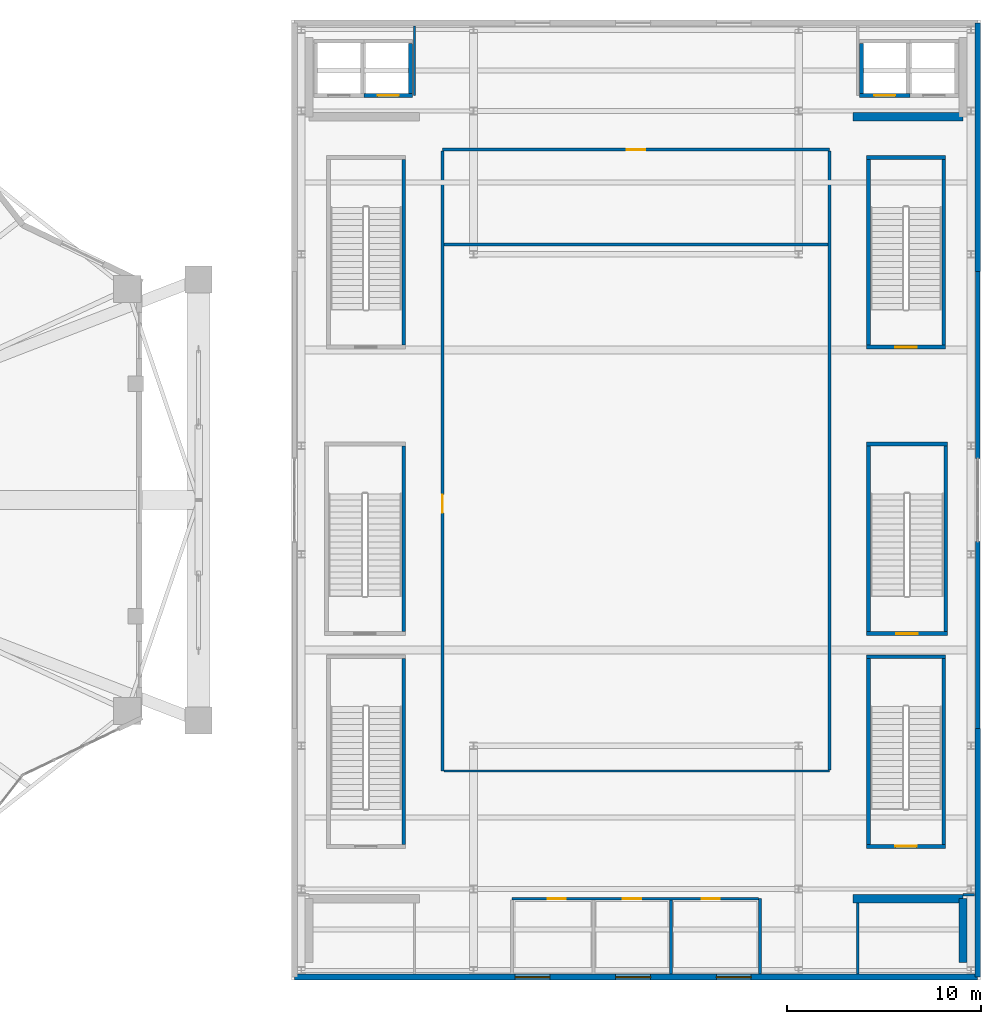
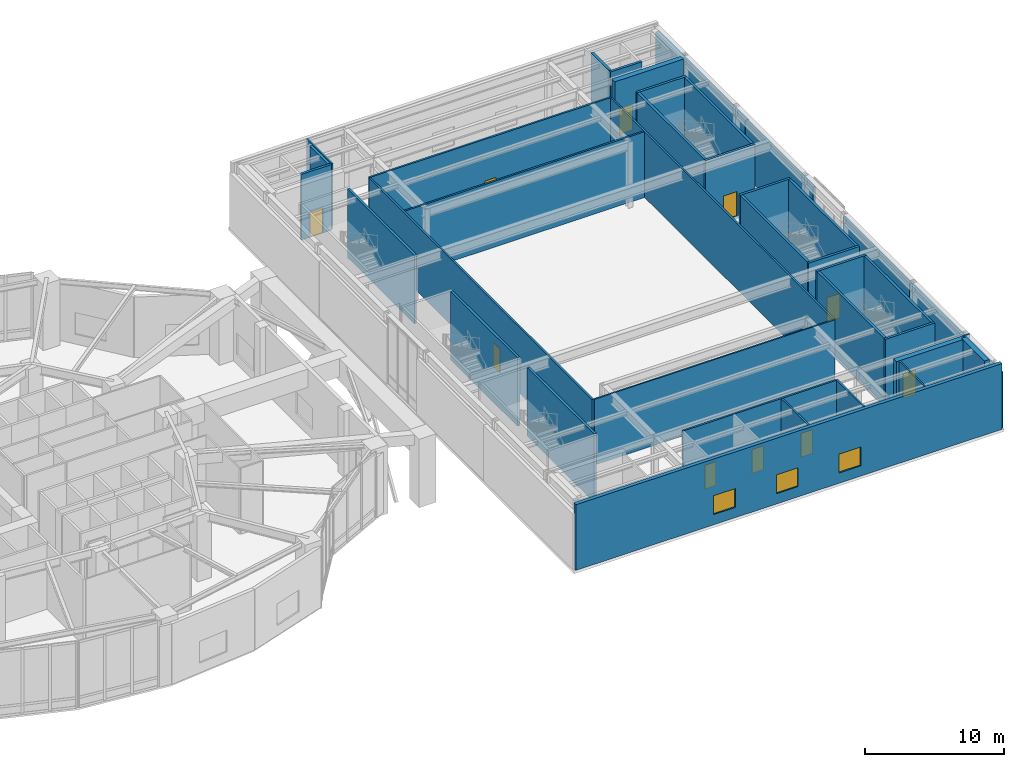
# One storey, part 19 of 25: 38 walls, 10 doors, 3 windows, 13 openings.
"""IFC4 building model written with IfcOpenShell, lengths in metres."""

from ifc_helpers import new_model, si_unit, direction, frame, frame_2d, origin, place, context, subcontext, project, spatial, rectangle, extrude, material, layer, layer_set, type_object, element, fill, save


model = new_model("IFC4")

# Units and contexts
model_context = context("Model", 3, precision=1e-05, world=origin(), true_north=direction((0.0, 1.0)))
body_context = subcontext(model_context, "Body", "Model", "MODEL_VIEW")
ifc_project = project(units=[si_unit("LENGTHUNIT", "METRE"), si_unit("AREAUNIT", "SQUARE_METRE"), si_unit("VOLUMEUNIT", "CUBIC_METRE"), si_unit("PLANEANGLEUNIT", "RADIAN"), si_unit("MASSUNIT", "GRAM", prefix="KILO")], contexts=[model_context])

# Site, building, storey
site_placement = place(None, origin())
site = spatial("IfcSite", under=ifc_project, at=site_placement, CompositionType="ELEMENT")
building_placement = place(site_placement, origin())
building = spatial("IfcBuilding", under=site, at=building_placement, Name="Kolvaren Gate Tower and Convention Centre", CompositionType="ELEMENT")
storey_placement = place(building_placement, frame((0.0, 0.0, 15.0)))
storey = spatial("IfcBuildingStorey", under=building, at=storey_placement, Name="L03", CompositionType="ELEMENT", Elevation=15.0)

# Walls
ifc_material_1 = material(Name="Fire-Rated Acoustic Gypsum Stud Partition", Category="gypsum")
ifc_layer_1 = layer(ifc_material_1, 0.1201171875)
ifc_layer_set_1 = layer_set([ifc_layer_1], Name="Fire-Rated Acoustic Gypsum Stud Partition")
wall_type_1 = type_object("IfcWallType", Name="ARCH-WL-PART-120", PredefinedType="PARTITIONING", material=ifc_layer_set_1)
wall_1_placement = place(storey_placement, frame((96.89990234375, 6.60009765625, 0.0), z_axis=(0.0, 0.0, 1.0), x_axis=(1.0, 0.0, 0.0)))
element("IfcWall", 1, at=wall_1_placement, inside=storey, type_object=wall_type_1, Name="Interior Partition WL-L03-INT-046", PredefinedType="PARTITIONING", context=body_context, shape_type="SweptSolid", body=[
    extrude(rectangle(XDim=0.59814453125, YDim=0.1201171875, at=frame_2d((0.299072265625, 0.0))), origin(), (0.0, 0.0, 1.0), 5.760009765625),
])
wall_2_placement = place(storey_placement, frame((68.550048828125, 47.89990234375, 0.0), z_axis=(0.0, 0.0, 1.0), x_axis=(0.0, 1.0, 0.0)))
element("IfcWall", 2, at=wall_2_placement, inside=storey, type_object=wall_type_1, Name="Interior Partition WL-L03-INT-048", PredefinedType="PARTITIONING", context=body_context, shape_type="SweptSolid", body=[
    extrude(rectangle(XDim=3.59814453125, YDim=0.1201171875, at=frame_2d((1.799072265625, 0.0))), origin(), (0.0, 0.0, 1.0), 5.760009765625),
])
wall_3_placement = place(storey_placement, frame((91.449951171875, 2.501953125, 0.0), z_axis=(0.0, 0.0, 1.0), x_axis=(0.0, 1.0, 0.0)))
element("IfcWall", 3, at=wall_3_placement, inside=storey, type_object=wall_type_1, Name="Interior Partition WL-L03-INT-049", PredefinedType="PARTITIONING", context=body_context, shape_type="SweptSolid", body=[
    extrude(rectangle(XDim=3.68603515625, YDim=0.1201171875, at=frame_2d((1.843017578125, 0.0))), origin(), (0.0, 0.0, 1.0), 5.760009765625),
])
wall_4_placement = place(storey_placement, frame((70.076904296875, 13.0, 0.0), z_axis=(0.0, 0.0, 1.0), x_axis=(1.0, 0.0, 0.0)))
element("IfcWall", 4, at=wall_4_placement, inside=storey, type_object=wall_type_1, Name="Interior Partition WL-L03-INT-056", PredefinedType="PARTITIONING", context=body_context, shape_type="SweptSolid", body=[
    extrude(rectangle(XDim=19.923095703125, YDim=0.1201171875, at=frame_2d((9.96142578125, 0.0))), origin(), (0.0, 0.0, 1.0), 5.760009765625),
])
ifc_material_2 = material(Name="Bogota Sabana Bush-Hammered Sandstone Cladding", Category="masonry")
ifc_layer_2 = layer(ifc_material_2, 0.219970703125)
ifc_layer_set_2 = layer_set([ifc_layer_2], Name="Bogota Sabana Bush-Hammered Sandstone Cladding")
wall_type_2 = type_object("IfcWallType", Name="ARCH-WL-PIER-220", PredefinedType="SOLIDWALL", material=ifc_layer_set_2)
for number, where, z_axis, x_axis, name in (
    (5, (97.64990234375, 15.199951171875, 0.0), (0.0, 0.0, 1.0), (0.0, 1.0, 0.0), "Convention L03 E Foyer Curtain Wall CW-CC-L03-E Left Column Pier Wrap"),
    (6, (97.64990234375, 29.139892578125, 0.0), (0.0, 0.0, 1.0), (0.0, 1.0, 0.0), "Convention L03 E Foyer Curtain Wall CW-CC-L03-E Right Column Pier Wrap"),
):
    element("IfcWall", number, at=place(storey_placement, frame(where, z_axis=z_axis, x_axis=x_axis)), inside=storey, type_object=wall_type_2, Name=name, PredefinedType="SOLIDWALL", context=body_context, shape_type="SweptSolid", body=[
        extrude(rectangle(XDim=9.66015625, YDim=0.219970703125, at=frame_2d((4.830078125, 0.0))), origin(), (0.0, 0.0, 1.0), 4.89697265625),
    ])

# Wall, opening, door
ifc_material_3 = material(Name="Autoclaved Aerated Masonry Blockwork Class 4 (4.0 MPa)", Category="masonry")
ifc_layer_3 = layer(ifc_material_3, 0.199951171875)
ifc_layer_set_3 = layer_set([ifc_layer_3], Name="Autoclaved Aerated Masonry Blockwork Class 4 (4.0 MPa)")
wall_type_3 = type_object("IfcWallType", Name="ARCH-WL-SHAFT-200", PredefinedType="SOLIDWALL", material=ifc_layer_set_3)
wall_5_placement = place(storey_placement, frame((65.949951171875, 47.89990234375, 0.0), z_axis=(0.0, 0.0, 1.0), x_axis=(1.0, 0.0, 0.0)))
wall_5 = element("IfcWall", 7, at=wall_5_placement, inside=storey, type_object=wall_type_3, Name="Elevator CL-02 L03 Fire Shaft Wall S", PredefinedType="SOLIDWALL", context=body_context, shape_type="SweptSolid", body=[
    extrude(rectangle(XDim=2.5, YDim=0.199951171875, at=frame_2d((1.25, 0.0))), origin(), (0.0, 0.0, 1.0), 5.760009765625),
])
opening_1_placement = place(wall_5_placement, frame((0.699951171875, 0.0, 0.0)))
opening_1 = element("IfcOpeningElement", 8, at=opening_1_placement, cuts=wall_5, Name="Opening LD", PredefinedType="OPENING", context=body_context, shape_type="SweptSolid", body=[
    extrude(rectangle(XDim=1.10009765625, YDim=2.199951171875, at=frame_2d((0.550048828125, 1.10009765625))), frame((0.0, 0.10986328125, 0.0), z_axis=(0.0, -1.0, 0.0), x_axis=(1.0, 0.0, 0.0)), (0.0, 0.0, 1.0), 0.219970703125),
])
ifc_material_4 = material(Name="Brushed Stainless Steel Grade 316L", Category="steel")
door_type_1 = type_object("IfcDoorType", Name="ARCH-DR-LIFT-1100", OperationType="SLIDING_TO_LEFT", PredefinedType="DOOR", material=ifc_material_4)
door_1_placement = place(opening_1_placement, origin())
door_1 = element("IfcDoor", 9, at=door_1_placement, inside=storey, type_object=door_type_1, Name="Elevator CL-02 L03 Sliding Landing Door", OperationType="SLIDING_TO_LEFT", OverallHeight=2.199951171875, OverallWidth=1.10009765625, PredefinedType="DOOR", context=body_context, shape_type="SweptSolid", body=[
    extrude(rectangle(XDim=1.10009765625, YDim=2.199951171875, at=frame_2d((0.550048828125, 1.10009765625))), frame((0.0, 0.02490234375, 0.0), z_axis=(0.0, -1.0, 0.0), x_axis=(1.0, 0.0, 0.0)), (0.0, 0.0, 1.0), 0.050048828125),
])
fill(opening_1, door_1)

# Wall
wall_6_placement = place(storey_placement, frame((68.35009765625, 48.010009765625, 0.0), z_axis=(0.0, 0.0, 1.0), x_axis=(0.0, 1.0, 0.0)))
element("IfcWall", 10, at=wall_6_placement, inside=storey, type_object=wall_type_3, Name="Elevator CL-02 L03 Fire Shaft Wall E", PredefinedType="SOLIDWALL", context=body_context, shape_type="SweptSolid", body=[
    extrude(rectangle(XDim=2.580078125, YDim=0.199951171875, at=frame_2d((1.2900390625, 0.0))), origin(), (0.0, 0.0, 1.0), 5.760009765625),
])

# Wall, opening, door
wall_7_placement = place(storey_placement, frame((91.550048828125, 47.89990234375, 0.0), z_axis=(0.0, 0.0, 1.0), x_axis=(1.0, 0.0, 0.0)))
wall_7 = element("IfcWall", 11, at=wall_7_placement, inside=storey, type_object=wall_type_3, Name="Elevator CL-03 L03 Fire Shaft Wall S", PredefinedType="SOLIDWALL", context=body_context, shape_type="SweptSolid", body=[
    extrude(rectangle(XDim=2.599853515625, YDim=0.199951171875, at=frame_2d((1.2998046875, 0.0))), origin(), (0.0, 0.0, 1.0), 5.760009765625),
])
opening_2_placement = place(wall_7_placement, frame((0.75, 0.0, 0.0)))
opening_2 = element("IfcOpeningElement", 12, at=opening_2_placement, cuts=wall_7, Name="Opening LD", PredefinedType="OPENING", context=body_context, shape_type="SweptSolid", body=[
    extrude(rectangle(XDim=1.10009765625, YDim=2.199951171875, at=frame_2d((0.550048828125, 1.10009765625))), frame((0.0, 0.10986328125, 0.0), z_axis=(0.0, -1.0, 0.0), x_axis=(1.0, 0.0, 0.0)), (0.0, 0.0, 1.0), 0.219970703125),
])
door_2_placement = place(opening_2_placement, origin())
door_2 = element("IfcDoor", 13, at=door_2_placement, inside=storey, type_object=door_type_1, Name="Elevator CL-03 L03 Sliding Landing Door", OperationType="SLIDING_TO_LEFT", OverallHeight=2.199951171875, OverallWidth=1.10009765625, PredefinedType="DOOR", context=body_context, shape_type="SweptSolid", body=[
    extrude(rectangle(XDim=1.10009765625, YDim=2.199951171875, at=frame_2d((0.550048828125, 1.10009765625))), frame((0.0, 0.02490234375, 0.0), z_axis=(0.0, -1.0, 0.0), x_axis=(1.0, 0.0, 0.0)), (0.0, 0.0, 1.0), 0.050048828125),
])
fill(opening_2, door_2)

# Wall
wall_8_placement = place(storey_placement, frame((91.64990234375, 48.010009765625, 0.0), z_axis=(0.0, 0.0, 1.0), x_axis=(0.0, 1.0, 0.0)))
element("IfcWall", 14, at=wall_8_placement, inside=storey, type_object=wall_type_3, Name="Elevator CL-03 L03 Fire Shaft Wall W", PredefinedType="SOLIDWALL", context=body_context, shape_type="SweptSolid", body=[
    extrude(rectangle(XDim=2.580078125, YDim=0.199951171875, at=frame_2d((1.2900390625, 0.0))), origin(), (0.0, 0.0, 1.0), 5.760009765625),
])

# Wall, openings, windows
ifc_material_5 = material(Name="Piedmont Cream Honed Limestone Cladding", Category="masonry")
ifc_layer_4 = layer(ifc_material_5, 0.300048828125)
ifc_layer_set_4 = layer_set([ifc_layer_4], Name="Piedmont Cream Honed Limestone Cladding")
wall_type_4 = type_object("IfcWallType", Name="ARCH-WL-STONE-300", PredefinedType="SOLIDWALL", material=ifc_layer_set_4)
wall_9_placement = place(storey_placement, frame((62.35009765625, 2.35009765625, 0.0), z_axis=(0.0, 0.0, 1.0), x_axis=(1.0, 0.0, 0.0)))
wall_9 = element("IfcWall", 15, at=wall_9_placement, inside=storey, type_object=wall_type_4, Name="Convention Centre L03 S Stone Facade Wall", PredefinedType="SOLIDWALL", context=body_context, shape_type="SweptSolid", body=[
    extrude(rectangle(XDim=35.2998046875, YDim=0.300048828125, at=frame_2d((17.64990234375, 0.0))), origin(), (0.0, 0.0, 1.0), 5.760009765625),
])
opening_3_placement = place(wall_9_placement, frame((11.39990234375, 0.0, 0.89990234375)))
opening_3 = element("IfcOpeningElement", 16, at=opening_3_placement, cuts=wall_9, Name="Opening W-05", PredefinedType="OPENING", context=body_context, shape_type="SweptSolid", body=[
    extrude(rectangle(XDim=1.800048828125, YDim=1.64990234375, at=frame_2d((0.89990234375, 0.824951171875))), frame((0.0, 0.159912109375, 0.0), z_axis=(0.0, -1.0, 0.0), x_axis=(1.0, 0.0, 0.0)), (0.0, 0.0, 1.0), 0.320068359375),
])
opening_4_placement = place(wall_9_placement, frame((16.60009765625, 0.0, 0.89990234375)))
opening_4 = element("IfcOpeningElement", 17, at=opening_4_placement, cuts=wall_9, Name="Opening W-05", PredefinedType="OPENING", context=body_context, shape_type="SweptSolid", body=[
    extrude(rectangle(XDim=1.800048828125, YDim=1.64990234375, at=frame_2d((0.89990234375, 0.824951171875))), frame((0.0, 0.159912109375, 0.0), z_axis=(0.0, -1.0, 0.0), x_axis=(1.0, 0.0, 0.0)), (0.0, 0.0, 1.0), 0.320068359375),
])
opening_5_placement = place(wall_9_placement, frame((21.800048828125, 0.0, 0.89990234375)))
opening_5 = element("IfcOpeningElement", 18, at=opening_5_placement, cuts=wall_9, Name="Opening W-05", PredefinedType="OPENING", context=body_context, shape_type="SweptSolid", body=[
    extrude(rectangle(XDim=1.800048828125, YDim=1.64990234375, at=frame_2d((0.89990234375, 0.824951171875))), frame((0.0, 0.159912109375, 0.0), z_axis=(0.0, -1.0, 0.0), x_axis=(1.0, 0.0, 0.0)), (0.0, 0.0, 1.0), 0.320068359375),
])
ifc_material_6 = material(Name="Low-E Triple Insulated Glazing Unit 44 mm", Category="glass")
window_type = type_object("IfcWindowType", Name="ARCH-WN-CONV-1800", PartitioningType="SINGLE_PANEL", PredefinedType="WINDOW", material=ifc_material_6)
window_1_placement = place(opening_3_placement, origin())
window_1 = element("IfcWindow", 19, at=window_1_placement, inside=storey, type_object=window_type, Name="Convention L03 S Clerestory Window CW-1", OverallHeight=1.64990234375, OverallWidth=1.800048828125, PartitioningType="SINGLE_PANEL", PredefinedType="WINDOW", context=body_context, shape_type="SweptSolid", body=[
    extrude(rectangle(XDim=1.800048828125, YDim=1.64990234375, at=frame_2d((0.89990234375, 0.824951171875))), frame((0.0, 0.030029296875, 0.0), z_axis=(0.0, -1.0, 0.0), x_axis=(1.0, 0.0, 0.0)), (0.0, 0.0, 1.0), 0.06005859375),
])
fill(opening_3, window_1)
window_2_placement = place(opening_4_placement, origin())
window_2 = element("IfcWindow", 20, at=window_2_placement, inside=storey, type_object=window_type, Name="Convention L03 S Clerestory Window CW-2", OverallHeight=1.64990234375, OverallWidth=1.800048828125, PartitioningType="SINGLE_PANEL", PredefinedType="WINDOW", context=body_context, shape_type="SweptSolid", body=[
    extrude(rectangle(XDim=1.800048828125, YDim=1.64990234375, at=frame_2d((0.89990234375, 0.824951171875))), frame((0.0, 0.030029296875, 0.0), z_axis=(0.0, -1.0, 0.0), x_axis=(1.0, 0.0, 0.0)), (0.0, 0.0, 1.0), 0.06005859375),
])
fill(opening_4, window_2)
window_3_placement = place(opening_5_placement, origin())
window_3 = element("IfcWindow", 21, at=window_3_placement, inside=storey, type_object=window_type, Name="Convention L03 S Clerestory Window CW-3", OverallHeight=1.64990234375, OverallWidth=1.800048828125, PartitioningType="SINGLE_PANEL", PredefinedType="WINDOW", context=body_context, shape_type="SweptSolid", body=[
    extrude(rectangle(XDim=1.800048828125, YDim=1.64990234375, at=frame_2d((0.89990234375, 0.824951171875))), frame((0.0, 0.030029296875, 0.0), z_axis=(0.0, -1.0, 0.0), x_axis=(1.0, 0.0, 0.0)), (0.0, 0.0, 1.0), 0.06005859375),
])
fill(opening_5, window_3)

# Walls
for number, where, z_axis, x_axis, name in (
    (22, (97.64990234375, 2.35009765625, 0.0), (0.0, 0.0, 1.0), (0.0, 1.0, 0.0), "Convention L03 E Stone Wing Wall South"),
    (23, (97.64990234375, 38.800048828125, 0.0), (0.0, 0.0, 1.0), (0.0, 1.0, 0.0), "Convention L03 E Stone Wing Wall North"),
):
    element("IfcWall", number, at=place(storey_placement, frame(where, z_axis=z_axis, x_axis=x_axis)), inside=storey, type_object=wall_type_4, Name=name, PredefinedType="SOLIDWALL", context=body_context, shape_type="SweptSolid", body=[
        extrude(rectangle(XDim=12.849853515625, YDim=0.300048828125, at=frame_2d((6.4248046875, 0.0))), origin(), (0.0, 0.0, 1.0), 4.89697265625),
    ])
ifc_material_7 = material(Name="Moisture-Resistant Cement-Board Acoustic Partition", Category="gypsum")
ifc_layer_5 = layer(ifc_material_7, 0.14990234375)
ifc_layer_set_5 = layer_set([ifc_layer_5], Name="Moisture-Resistant Cement-Board Acoustic Partition")
wall_type_5 = type_object("IfcWallType", Name="ARCH-WL-WET-150", PredefinedType="PARTITIONING", material=ifc_layer_set_5)
wall_10_placement = place(storey_placement, frame((86.39990234375, 2.501953125, 0.0), z_axis=(0.0, 0.0, 1.0), x_axis=(0.0, 1.0, 0.0)))
element("IfcWall", 24, at=wall_10_placement, inside=storey, type_object=wall_type_5, Name="Interior Partition WL-L03-INT-051", PredefinedType="PARTITIONING", context=body_context, shape_type="SweptSolid", body=[
    extrude(rectangle(XDim=3.89794921875, YDim=0.14990234375, at=frame_2d((1.948974609375, 0.0))), origin(), (0.0, 0.0, 1.0), 5.760009765625),
])

# Wall, openings, doors
wall_11_placement = place(storey_placement, frame((73.60009765625, 6.39990234375, 0.0), z_axis=(0.0, 0.0, 1.0), x_axis=(1.0, 0.0, 0.0)))
wall_11 = element("IfcWall", 25, at=wall_11_placement, inside=storey, type_object=wall_type_5, Name="Interior Partition WL-L03-INT-052", PredefinedType="PARTITIONING", context=body_context, shape_type="SweptSolid", body=[
    extrude(rectangle(XDim=12.722900390625, YDim=0.14990234375, at=frame_2d((6.361328125, 0.0))), origin(), (0.0, 0.0, 1.0), 5.760009765625),
])
opening_6_placement = place(wall_11_placement, frame((1.830078125, 0.0, 0.0)))
opening_6 = element("IfcOpeningElement", 26, at=opening_6_placement, cuts=wall_11, Name="Opening DR-01", PredefinedType="OPENING", context=body_context, shape_type="SweptSolid", body=[
    extrude(rectangle(XDim=0.949951171875, YDim=2.10009765625, at=frame_2d((0.47509765625, 1.050048828125))), frame((0.0, 0.0849609375, 0.0), z_axis=(0.0, -1.0, 0.0), x_axis=(1.0, 0.0, 0.0)), (0.0, 0.0, 1.0), 0.169921875),
])
opening_7_placement = place(wall_11_placement, frame((5.72509765625, 0.0, 0.0)))
opening_7 = element("IfcOpeningElement", 27, at=opening_7_placement, cuts=wall_11, Name="Opening DR-01", PredefinedType="OPENING", context=body_context, shape_type="SweptSolid", body=[
    extrude(rectangle(XDim=0.949951171875, YDim=2.10009765625, at=frame_2d((0.47509765625, 1.050048828125))), frame((0.0, 0.0849609375, 0.0), z_axis=(0.0, -1.0, 0.0), x_axis=(1.0, 0.0, 0.0)), (0.0, 0.0, 1.0), 0.169921875),
])
opening_8_placement = place(wall_11_placement, frame((9.781494140625, 0.0, 0.0)))
opening_8 = element("IfcOpeningElement", 28, at=opening_8_placement, cuts=wall_11, Name="Opening DR-01", PredefinedType="OPENING", context=body_context, shape_type="SweptSolid", body=[
    extrude(rectangle(XDim=0.949951171875, YDim=2.10009765625, at=frame_2d((0.47509765625, 1.050048828125))), frame((0.0, 0.0849609375, 0.0), z_axis=(0.0, -1.0, 0.0), x_axis=(1.0, 0.0, 0.0)), (0.0, 0.0, 1.0), 0.169921875),
])
ifc_material_8 = material(Name="Painted Architectural Steelwork ASTM A500 Grade C 345 MPa", Category="steel")
door_type_2 = type_object("IfcDoorType", Name="ARCH-DR-RISER-950", OperationType="SINGLE_SWING_RIGHT", PredefinedType="DOOR", material=ifc_material_8)
door_3_placement = place(opening_6_placement, origin())
door_3 = element("IfcDoor", 29, at=door_3_placement, inside=storey, type_object=door_type_2, Name="Convention L03 Delegate Male Restroom Door", OperationType="SINGLE_SWING_LEFT", OverallHeight=2.10009765625, OverallWidth=0.949951171875, PredefinedType="DOOR", context=body_context, shape_type="SweptSolid", body=[
    extrude(rectangle(XDim=0.949951171875, YDim=2.10009765625, at=frame_2d((0.47509765625, 1.050048828125))), frame((0.0, 0.02490234375, 0.0), z_axis=(0.0, -1.0, 0.0), x_axis=(1.0, 0.0, 0.0)), (0.0, 0.0, 1.0), 0.050048828125),
])
fill(opening_6, door_3)
door_4_placement = place(opening_7_placement, origin())
door_4 = element("IfcDoor", 30, at=door_4_placement, inside=storey, type_object=door_type_2, Name="Convention L03 Accessible Restroom Door", OperationType="SINGLE_SWING_RIGHT", OverallHeight=2.10009765625, OverallWidth=0.949951171875, PredefinedType="DOOR", context=body_context, shape_type="SweptSolid", body=[
    extrude(rectangle(XDim=0.949951171875, YDim=2.10009765625, at=frame_2d((0.47509765625, 1.050048828125))), frame((0.0, 0.02490234375, 0.0), z_axis=(0.0, -1.0, 0.0), x_axis=(1.0, 0.0, 0.0)), (0.0, 0.0, 1.0), 0.050048828125),
])
fill(opening_7, door_4)
door_5_placement = place(opening_8_placement, origin())
door_5 = element("IfcDoor", 31, at=door_5_placement, inside=storey, type_object=door_type_2, Name="Convention L03 Delegate Female Restroom Door", OperationType="SINGLE_SWING_LEFT", OverallHeight=2.10009765625, OverallWidth=0.949951171875, PredefinedType="DOOR", context=body_context, shape_type="SweptSolid", body=[
    extrude(rectangle(XDim=0.949951171875, YDim=2.10009765625, at=frame_2d((0.47509765625, 1.050048828125))), frame((0.0, 0.02490234375, 0.0), z_axis=(0.0, -1.0, 0.0), x_axis=(1.0, 0.0, 0.0)), (0.0, 0.0, 1.0), 0.050048828125),
])
fill(opening_8, door_5)

# Wall, opening, door
wall_12_placement = place(storey_placement, frame((70.0, 45.10009765625, 0.0), z_axis=(0.0, 0.0, 1.0), x_axis=(1.0, 0.0, 0.0)))
wall_12 = element("IfcWall", 32, at=wall_12_placement, inside=storey, type_object=wall_type_5, Name="Interior Partition WL-L03-INT-054", PredefinedType="PARTITIONING", context=body_context, shape_type="SweptSolid", body=[
    extrude(rectangle(XDim=20.0, YDim=0.14990234375, at=frame_2d((10.0, 0.0))), origin(), (0.0, 0.0, 1.0), 5.760009765625),
])
opening_9_placement = place(wall_12_placement, frame((9.52490234375, 0.0, 0.0)))
opening_9 = element("IfcOpeningElement", 33, at=opening_9_placement, cuts=wall_12, Name="Opening DR-01", PredefinedType="OPENING", context=body_context, shape_type="SweptSolid", body=[
    extrude(rectangle(XDim=0.949951171875, YDim=2.10009765625, at=frame_2d((0.47509765625, 1.050048828125))), frame((0.0, 0.0849609375, 0.0), z_axis=(0.0, -1.0, 0.0), x_axis=(1.0, 0.0, 0.0)), (0.0, 0.0, 1.0), 0.169921875),
])
door_6_placement = place(opening_9_placement, origin())
door_6 = element("IfcDoor", 34, at=door_6_placement, inside=storey, type_object=door_type_2, Name="Banquet Finishing Kitchen and Pantry Door", OperationType="SINGLE_SWING_LEFT", OverallHeight=2.10009765625, OverallWidth=0.949951171875, PredefinedType="DOOR", context=body_context, shape_type="SweptSolid", body=[
    extrude(rectangle(XDim=0.949951171875, YDim=2.10009765625, at=frame_2d((0.47509765625, 1.050048828125))), frame((0.0, 0.02490234375, 0.0), z_axis=(0.0, -1.0, 0.0), x_axis=(1.0, 0.0, 0.0)), (0.0, 0.0, 1.0), 0.050048828125),
])
fill(opening_9, door_6)

wall_13_placement = place(storey_placement, frame((70.0, 13.0, 0.0), z_axis=(0.0, 0.0, 1.0), x_axis=(0.0, 1.0, 0.0)))
wall_13 = element("IfcWall", 35, at=wall_13_placement, inside=storey, type_object=wall_type_5, Name="Interior Partition WL-L03-INT-055", PredefinedType="PARTITIONING", context=body_context, shape_type="SweptSolid", body=[
    extrude(rectangle(XDim=32.02294921875, YDim=0.14990234375, at=frame_2d((16.011474609375, 0.0))), origin(), (0.0, 0.0, 1.0), 5.760009765625),
])
opening_10_placement = place(wall_13_placement, frame((13.330078125, 0.0, 0.0)))
opening_10 = element("IfcOpeningElement", 36, at=opening_10_placement, cuts=wall_13, Name="Opening DR-01", PredefinedType="OPENING", context=body_context, shape_type="SweptSolid", body=[
    extrude(rectangle(XDim=0.949951171875, YDim=2.10009765625, at=frame_2d((0.47509765625, 1.050048828125))), frame((0.0, 0.0849609375, 0.0), z_axis=(0.0, -1.0, 0.0), x_axis=(1.0, 0.0, 0.0)), (0.0, 0.0, 1.0), 0.169921875),
])
door_7_placement = place(opening_10_placement, origin())
door_7 = element("IfcDoor", 37, at=door_7_placement, inside=storey, type_object=door_type_2, Name="Column-Free Grand Banquet Ballroom Door", OperationType="SINGLE_SWING_RIGHT", OverallHeight=2.10009765625, OverallWidth=0.949951171875, PredefinedType="DOOR", context=body_context, shape_type="SweptSolid", body=[
    extrude(rectangle(XDim=0.949951171875, YDim=2.10009765625, at=frame_2d((0.47509765625, 1.050048828125))), frame((0.0, 0.02490234375, 0.0), z_axis=(0.0, -1.0, 0.0), x_axis=(1.0, 0.0, 0.0)), (0.0, 0.0, 1.0), 0.050048828125),
])
fill(opening_10, door_7)

# Walls
wall_14_placement = place(storey_placement, frame((90.0, 13.06201171875, 0.0), z_axis=(0.0, 0.0, 1.0), x_axis=(0.0, 1.0, 0.0)))
element("IfcWall", 38, at=wall_14_placement, inside=storey, type_object=wall_type_5, Name="Interior Partition WL-L03-INT-057", PredefinedType="PARTITIONING", context=body_context, shape_type="SweptSolid", body=[
    extrude(rectangle(XDim=31.9609375, YDim=0.14990234375, at=frame_2d((15.98046875, 0.0))), origin(), (0.0, 0.0, 1.0), 5.760009765625),
])
wall_15_placement = place(storey_placement, frame((81.800048828125, 2.501953125, 0.0), z_axis=(0.0, 0.0, 1.0), x_axis=(0.0, 1.0, 0.0)))
element("IfcWall", 39, at=wall_15_placement, inside=storey, type_object=wall_type_5, Name="Interior Partition WL-L03-INT-059", PredefinedType="PARTITIONING", context=body_context, shape_type="SweptSolid", body=[
    extrude(rectangle(XDim=3.821044921875, YDim=0.14990234375, at=frame_2d((1.91064453125, 0.0))), origin(), (0.0, 0.0, 1.0), 5.760009765625),
])
wall_16_placement = place(storey_placement, frame((70.076904296875, 40.199951171875, 0.0), z_axis=(0.0, 0.0, 1.0), x_axis=(1.0, 0.0, 0.0)))
element("IfcWall", 40, at=wall_16_placement, inside=storey, type_object=wall_type_5, Name="Interior Partition WL-L03-INT-060", PredefinedType="PARTITIONING", context=body_context, shape_type="SweptSolid", body=[
    extrude(rectangle(XDim=19.84619140625, YDim=0.14990234375, at=frame_2d((9.923095703125, 0.0))), origin(), (0.0, 0.0, 1.0), 5.760009765625),
])
ifc_material_9 = material(Name="Concrete C50/60", Category="concrete")
ifc_layer_6 = layer(ifc_material_9, 0.419921875)
ifc_layer_set_6 = layer_set([ifc_layer_6], Name="Concrete C50/60")
wall_type_6 = type_object("IfcWallType", Name="STR-WL-CONV-420", PredefinedType="SHEAR", material=ifc_layer_set_6)
wall_17_placement = place(storey_placement, frame((91.199951171875, 46.800048828125, -0.239990234375), z_axis=(0.0, 0.0, 1.0), x_axis=(1.0, 0.0, 0.0)))
element("IfcWall", 41, at=wall_17_placement, inside=storey, type_object=wall_type_6, Name="Convention L03 Shear Core Wall CCNE-S", PredefinedType="SHEAR", context=body_context, shape_type="SweptSolid", body=[
    extrude(rectangle(XDim=5.699951171875, YDim=0.419921875, at=frame_2d((2.85009765625, 0.0))), origin(), (0.0, 0.0, 1.0), 6.0),
])
wall_18_placement = place(storey_placement, frame((96.89990234375, 3.10009765625, -0.239990234375), z_axis=(0.0, 0.0, 1.0), x_axis=(0.0, 1.0, 0.0)))
element("IfcWall", 42, at=wall_18_placement, inside=storey, type_object=wall_type_6, Name="Convention L03 Shear Core Wall CCSE-E", PredefinedType="SHEAR", context=body_context, shape_type="SweptSolid", body=[
    extrude(rectangle(XDim=3.2998046875, YDim=0.419921875, at=frame_2d((1.64990234375, 0.0))), origin(), (0.0, 0.0, 1.0), 6.0),
])
wall_19_placement = place(storey_placement, frame((91.199951171875, 6.39990234375, -0.239990234375), z_axis=(0.0, 0.0, 1.0), x_axis=(1.0, 0.0, 0.0)))
element("IfcWall", 43, at=wall_19_placement, inside=storey, type_object=wall_type_6, Name="Convention L03 Shear Core Wall CCSE-N", PredefinedType="SHEAR", context=body_context, shape_type="SweptSolid", body=[
    extrude(rectangle(XDim=5.699951171875, YDim=0.419921875, at=frame_2d((2.85009765625, 0.0))), origin(), (0.0, 0.0, 1.0), 6.0),
])
ifc_layer_7 = layer(ifc_material_9, 0.199951171875)
ifc_layer_set_7 = layer_set([ifc_layer_7], Name="Concrete C50/60")
wall_type_7 = type_object("IfcWallType", Name="STR-WL-SHAFT-200", PredefinedType="SHEAR", material=ifc_layer_set_7)
wall_20_placement = place(storey_placement, frame((68.0, 35.001953125, -0.239990234375), z_axis=(0.0, 0.0, 1.0), x_axis=(0.0, 1.0, 0.0)))
element("IfcWall", 44, at=wall_20_placement, inside=storey, type_object=wall_type_7, Name="Convention NW Exit Stair ST-C1 L03 Structural Shear Enclosure Wall EAST", PredefinedType="SHEAR", context=body_context, shape_type="SweptSolid", body=[
    extrude(rectangle(XDim=9.595947265625, YDim=0.199951171875, at=frame_2d((4.7978515625, 0.0))), origin(), (0.0, 0.0, 1.0), 6.0),
])
wall_21_placement = place(storey_placement, frame((68.0, 9.201904296875, -0.239990234375), z_axis=(0.0, 0.0, 1.0), x_axis=(0.0, 1.0, 0.0)))
element("IfcWall", 45, at=wall_21_placement, inside=storey, type_object=wall_type_7, Name="Convention SW Exit Stair ST-C2 L03 Structural Shear Enclosure Wall EAST", PredefinedType="SHEAR", context=body_context, shape_type="SweptSolid", body=[
    extrude(rectangle(XDim=9.59619140625, YDim=0.199951171875, at=frame_2d((4.798095703125, 0.0))), origin(), (0.0, 0.0, 1.0), 6.0),
])

# Wall, opening, door
wall_22_placement = place(storey_placement, frame((91.89990234375, 34.89990234375, -0.239990234375), z_axis=(0.0, 0.0, 1.0), x_axis=(1.0, 0.0, 0.0)))
wall_22 = element("IfcWall", 46, at=wall_22_placement, inside=storey, type_object=wall_type_7, Name="Convention NE Exit Stair ST-C3 L03 Structural Shear Enclosure Wall NEAR", PredefinedType="SHEAR", context=body_context, shape_type="SweptSolid", body=[
    extrude(rectangle(XDim=4.10009765625, YDim=0.199951171875, at=frame_2d((2.050048828125, 0.0))), origin(), (0.0, 0.0, 1.0), 6.0),
])
opening_11_placement = place(wall_22_placement, frame((1.5, 0.0, 0.239990234375)))
opening_11 = element("IfcOpeningElement", 47, at=opening_11_placement, cuts=wall_22, Name="Opening DS-01", PredefinedType="OPENING", context=body_context, shape_type="SweptSolid", body=[
    extrude(rectangle(XDim=1.10009765625, YDim=2.14990234375, at=frame_2d((0.550048828125, 1.074951171875))), frame((0.0, 0.10986328125, 0.0), z_axis=(0.0, -1.0, 0.0), x_axis=(1.0, 0.0, 0.0)), (0.0, 0.0, 1.0), 0.219970703125),
])
door_type_3 = type_object("IfcDoorType", Name="ARCH-DR-STAIR-1100", OperationType="SINGLE_SWING_LEFT", PredefinedType="DOOR", material=ifc_material_8)
door_8_placement = place(opening_11_placement, origin())
door_8 = element("IfcDoor", 48, at=door_8_placement, inside=storey, type_object=door_type_3, Name="Convention NE Exit Stair ST-C3 L03 Fire Exit Stair Door", OperationType="SINGLE_SWING_LEFT", OverallHeight=2.14990234375, OverallWidth=1.10009765625, PredefinedType="DOOR", context=body_context, shape_type="SweptSolid", body=[
    extrude(rectangle(XDim=1.10009765625, YDim=2.14990234375, at=frame_2d((0.550048828125, 1.074951171875))), frame((0.0, 0.02490234375, 0.0), z_axis=(0.0, -1.0, 0.0), x_axis=(1.0, 0.0, 0.0)), (0.0, 0.0, 1.0), 0.050048828125),
])
fill(opening_11, door_8)

# Walls
wall_23_placement = place(storey_placement, frame((91.89990234375, 44.699951171875, -0.239990234375), z_axis=(0.0, 0.0, 1.0), x_axis=(1.0, 0.0, 0.0)))
element("IfcWall", 49, at=wall_23_placement, inside=storey, type_object=wall_type_7, Name="Convention NE Exit Stair ST-C3 L03 Structural Shear Enclosure Wall FAR", PredefinedType="SHEAR", context=body_context, shape_type="SweptSolid", body=[
    extrude(rectangle(XDim=4.10009765625, YDim=0.199951171875, at=frame_2d((2.050048828125, 0.0))), origin(), (0.0, 0.0, 1.0), 6.0),
])
for number, where, z_axis, x_axis, name in (
    (50, (92.0, 35.001953125, -0.239990234375), (0.0, 0.0, 1.0), (0.0, 1.0, 0.0), "Convention NE Exit Stair ST-C3 L03 Structural Shear Enclosure Wall WEST"),
    (51, (95.89990234375, 35.001953125, -0.239990234375), (0.0, 0.0, 1.0), (0.0, 1.0, 0.0), "Convention NE Exit Stair ST-C3 L03 Structural Shear Enclosure Wall EAST"),
):
    element("IfcWall", number, at=place(storey_placement, frame(where, z_axis=z_axis, x_axis=x_axis)), inside=storey, type_object=wall_type_7, Name=name, PredefinedType="SHEAR", context=body_context, shape_type="SweptSolid", body=[
        extrude(rectangle(XDim=9.595947265625, YDim=0.199951171875, at=frame_2d((4.7978515625, 0.0))), origin(), (0.0, 0.0, 1.0), 6.0),
    ])

# Wall, opening, door
wall_24_placement = place(storey_placement, frame((91.89990234375, 9.10009765625, -0.239990234375), z_axis=(0.0, 0.0, 1.0), x_axis=(1.0, 0.0, 0.0)))
wall_24 = element("IfcWall", 52, at=wall_24_placement, inside=storey, type_object=wall_type_7, Name="Convention SE Exit Stair ST-C4 L03 Structural Shear Enclosure Wall NEAR", PredefinedType="SHEAR", context=body_context, shape_type="SweptSolid", body=[
    extrude(rectangle(XDim=4.10009765625, YDim=0.199951171875, at=frame_2d((2.050048828125, 0.0))), origin(), (0.0, 0.0, 1.0), 6.0),
])
opening_12_placement = place(wall_24_placement, frame((1.5, 0.0, 0.239990234375)))
opening_12 = element("IfcOpeningElement", 53, at=opening_12_placement, cuts=wall_24, Name="Opening DS-01", PredefinedType="OPENING", context=body_context, shape_type="SweptSolid", body=[
    extrude(rectangle(XDim=1.10009765625, YDim=2.14990234375, at=frame_2d((0.550048828125, 1.074951171875))), frame((0.0, 0.10986328125, 0.0), z_axis=(0.0, -1.0, 0.0), x_axis=(1.0, 0.0, 0.0)), (0.0, 0.0, 1.0), 0.219970703125),
])
door_9_placement = place(opening_12_placement, origin())
door_9 = element("IfcDoor", 54, at=door_9_placement, inside=storey, type_object=door_type_3, Name="Convention SE Exit Stair ST-C4 L03 Fire Exit Stair Door", OperationType="SINGLE_SWING_LEFT", OverallHeight=2.14990234375, OverallWidth=1.10009765625, PredefinedType="DOOR", context=body_context, shape_type="SweptSolid", body=[
    extrude(rectangle(XDim=1.10009765625, YDim=2.14990234375, at=frame_2d((0.550048828125, 1.074951171875))), frame((0.0, 0.02490234375, 0.0), z_axis=(0.0, -1.0, 0.0), x_axis=(1.0, 0.0, 0.0)), (0.0, 0.0, 1.0), 0.050048828125),
])
fill(opening_12, door_9)

# Walls
wall_25_placement = place(storey_placement, frame((91.89990234375, 18.89990234375, -0.239990234375), z_axis=(0.0, 0.0, 1.0), x_axis=(1.0, 0.0, 0.0)))
element("IfcWall", 55, at=wall_25_placement, inside=storey, type_object=wall_type_7, Name="Convention SE Exit Stair ST-C4 L03 Structural Shear Enclosure Wall FAR", PredefinedType="SHEAR", context=body_context, shape_type="SweptSolid", body=[
    extrude(rectangle(XDim=4.10009765625, YDim=0.199951171875, at=frame_2d((2.050048828125, 0.0))), origin(), (0.0, 0.0, 1.0), 6.0),
])
for number, where, z_axis, x_axis, name in (
    (56, (92.0, 9.201904296875, -0.239990234375), (0.0, 0.0, 1.0), (0.0, 1.0, 0.0), "Convention SE Exit Stair ST-C4 L03 Structural Shear Enclosure Wall WEST"),
    (57, (95.89990234375, 9.201904296875, -0.239990234375), (0.0, 0.0, 1.0), (0.0, 1.0, 0.0), "Convention SE Exit Stair ST-C4 L03 Structural Shear Enclosure Wall EAST"),
    (58, (68.0, 20.201904296875, -0.239990234375), (0.0, 0.0, 1.0), (0.0, 1.0, 0.0), "Convention West Assembly Stair ST-C5 L03 Structural Shear Enclosure Wall EAST"),
):
    element("IfcWall", number, at=place(storey_placement, frame(where, z_axis=z_axis, x_axis=x_axis)), inside=storey, type_object=wall_type_7, Name=name, PredefinedType="SHEAR", context=body_context, shape_type="SweptSolid", body=[
        extrude(rectangle(XDim=9.59619140625, YDim=0.199951171875, at=frame_2d((4.798095703125, 0.0))), origin(), (0.0, 0.0, 1.0), 6.0),
    ])

# Wall, opening, door
wall_26_placement = place(storey_placement, frame((91.89990234375, 20.10009765625, -0.239990234375), z_axis=(0.0, 0.0, 1.0), x_axis=(1.0, 0.0, 0.0)))
wall_26 = element("IfcWall", 59, at=wall_26_placement, inside=storey, type_object=wall_type_7, Name="Convention East Assembly Stair ST-C6 L03 Structural Shear Enclosure Wall NEAR", PredefinedType="SHEAR", context=body_context, shape_type="SweptSolid", body=[
    extrude(rectangle(XDim=4.2001953125, YDim=0.199951171875, at=frame_2d((2.10009765625, 0.0))), origin(), (0.0, 0.0, 1.0), 6.0),
])
opening_13_placement = place(wall_26_placement, frame((1.550048828125, 0.0, 0.239990234375)))
opening_13 = element("IfcOpeningElement", 60, at=opening_13_placement, cuts=wall_26, Name="Opening DS-01", PredefinedType="OPENING", context=body_context, shape_type="SweptSolid", body=[
    extrude(rectangle(XDim=1.10009765625, YDim=2.14990234375, at=frame_2d((0.550048828125, 1.074951171875))), frame((0.0, 0.10986328125, 0.0), z_axis=(0.0, -1.0, 0.0), x_axis=(1.0, 0.0, 0.0)), (0.0, 0.0, 1.0), 0.219970703125),
])
door_10_placement = place(opening_13_placement, origin())
door_10 = element("IfcDoor", 61, at=door_10_placement, inside=storey, type_object=door_type_3, Name="Convention East Assembly Stair ST-C6 L03 Fire Exit Stair Door", OperationType="SINGLE_SWING_LEFT", OverallHeight=2.14990234375, OverallWidth=1.10009765625, PredefinedType="DOOR", context=body_context, shape_type="SweptSolid", body=[
    extrude(rectangle(XDim=1.10009765625, YDim=2.14990234375, at=frame_2d((0.550048828125, 1.074951171875))), frame((0.0, 0.02490234375, 0.0), z_axis=(0.0, -1.0, 0.0), x_axis=(1.0, 0.0, 0.0)), (0.0, 0.0, 1.0), 0.050048828125),
])
fill(opening_13, door_10)

# Walls
wall_27_placement = place(storey_placement, frame((91.89990234375, 29.89990234375, -0.239990234375), z_axis=(0.0, 0.0, 1.0), x_axis=(1.0, 0.0, 0.0)))
element("IfcWall", 62, at=wall_27_placement, inside=storey, type_object=wall_type_7, Name="Convention East Assembly Stair ST-C6 L03 Structural Shear Enclosure Wall FAR", PredefinedType="SHEAR", context=body_context, shape_type="SweptSolid", body=[
    extrude(rectangle(XDim=4.2001953125, YDim=0.199951171875, at=frame_2d((2.10009765625, 0.0))), origin(), (0.0, 0.0, 1.0), 6.0),
])
for number, where, z_axis, x_axis, name in (
    (63, (92.0, 20.201904296875, -0.239990234375), (0.0, 0.0, 1.0), (0.0, 1.0, 0.0), "Convention East Assembly Stair ST-C6 L03 Structural Shear Enclosure Wall WEST"),
    (64, (96.0, 20.201904296875, -0.239990234375), (0.0, 0.0, 1.0), (0.0, 1.0, 0.0), "Convention East Assembly Stair ST-C6 L03 Structural Shear Enclosure Wall EAST"),
):
    element("IfcWall", number, at=place(storey_placement, frame(where, z_axis=z_axis, x_axis=x_axis)), inside=storey, type_object=wall_type_7, Name=name, PredefinedType="SHEAR", context=body_context, shape_type="SweptSolid", body=[
        extrude(rectangle(XDim=9.59619140625, YDim=0.199951171875, at=frame_2d((4.798095703125, 0.0))), origin(), (0.0, 0.0, 1.0), 6.0),
    ])

save(model, "model.ifc")
